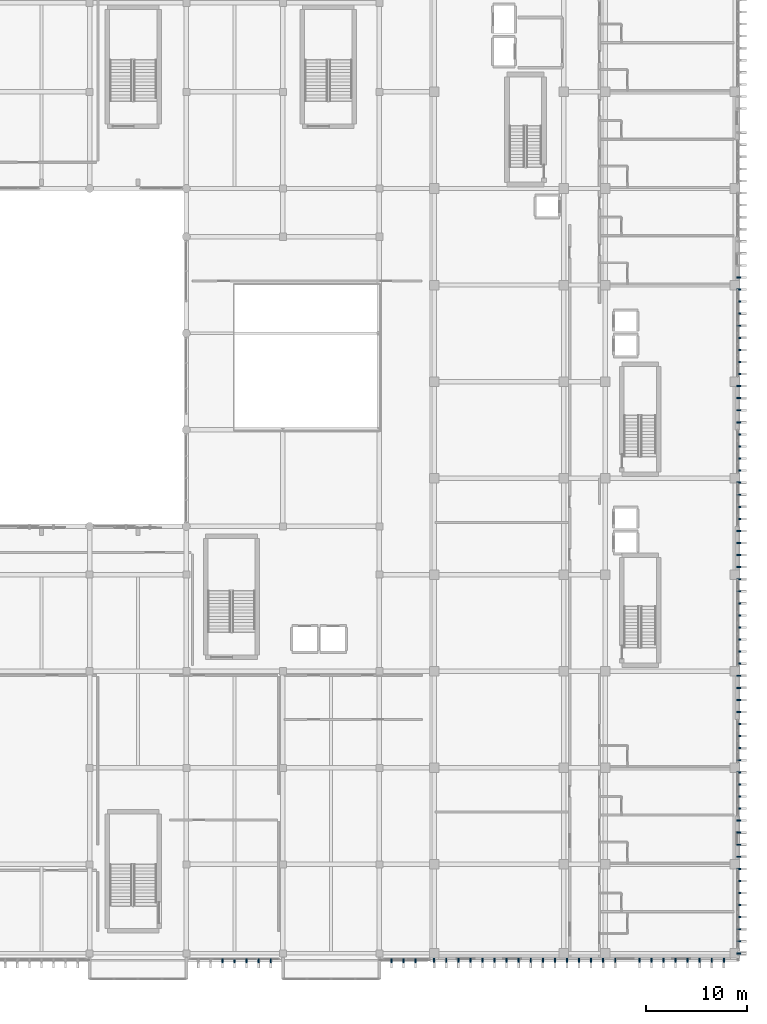
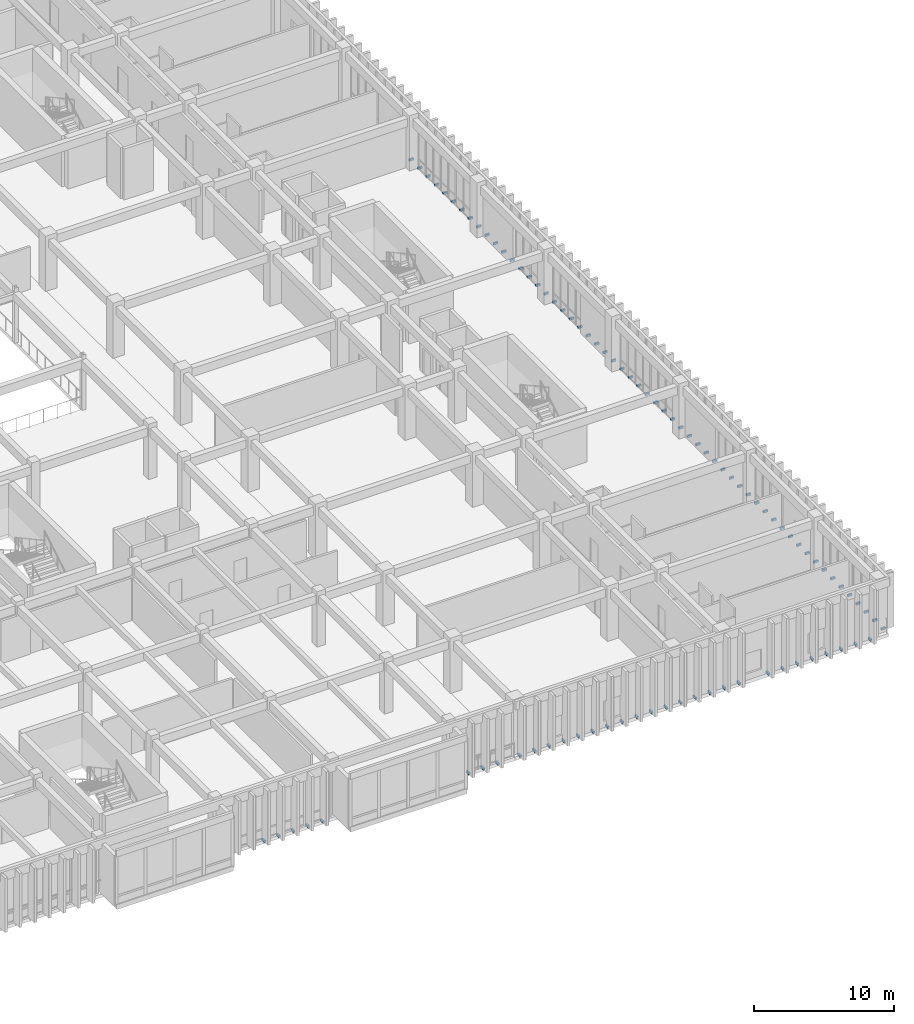
# One storey, part 113 of 133: 89 discrete accessories.
"""IFC4 building model written with IfcOpenShell, lengths in metres."""

from ifc_helpers import new_model, si_unit, direction, frame, origin, origin_2d, place, context, subcontext, project, spatial, rectangle, extrude, material, type_object, element, save


model = new_model("IFC4")

# Units and contexts
model_context = context("Model", 3, precision=1e-05, world=origin(), true_north=direction((0.0, 1.0)))
body_context = subcontext(model_context, "Body", "Model", "MODEL_VIEW")
ifc_project = project(units=[si_unit("LENGTHUNIT", "METRE"), si_unit("AREAUNIT", "SQUARE_METRE"), si_unit("VOLUMEUNIT", "CUBIC_METRE"), si_unit("PLANEANGLEUNIT", "RADIAN"), si_unit("MASSUNIT", "GRAM", prefix="KILO")], contexts=[model_context])

# Site, building, storey
site_placement = place(None, origin())
site = spatial("IfcSite", under=ifc_project, at=site_placement, CompositionType="ELEMENT")
building_placement = place(site_placement, origin())
building = spatial("IfcBuilding", under=site, at=building_placement, Name="Nakhvara Creek Congress Hotel", CompositionType="ELEMENT")
storey_placement = place(building_placement, frame((0.0, 0.0, 11.39990234375)))
storey = spatial("IfcBuildingStorey", under=building, at=storey_placement, Name="L02", CompositionType="ELEMENT", Elevation=11.39990234375)

# Discrete accessories
ifc_material = material(Name="Brushed stainless steel 316L", Category="steel")
discrete_accessory_type = type_object("IfcDiscreteAccessoryType", Name="ACC-BRK-SS316", PredefinedType="BRACKET", material=ifc_material)
for number, where, z_axis, x_axis, name in (
    (1, (128.39990234375, 0.02001953125, -0.10986328125), (0.0, 0.0, 1.0), (1.0, 0.0, 0.0), "Stainless Fin Bracket BK01-0256"),
    (2, (129.60009765625, 0.02001953125, -0.10986328125), (0.0, 0.0, 1.0), (1.0, 0.0, 0.0), "Stainless Fin Bracket BK01-0257"),
    (3, (130.800048828125, 0.02001953125, -0.10986328125), (0.0, 0.0, 1.0), (1.0, 0.0, 0.0), "Stainless Fin Bracket BK01-0258"),
    (4, (132.0, 0.02001953125, -0.10986328125), (0.0, 0.0, 1.0), (1.0, 0.0, 0.0), "Stainless Fin Bracket BK01-0259"),
    (5, (133.199951171875, 0.02001953125, -0.10986328125), (0.0, 0.0, 1.0), (1.0, 0.0, 0.0), "Stainless Fin Bracket BK01-0260"),
    (6, (145.199951171875, 0.02001953125, -0.10986328125), (0.0, 0.0, 1.0), (1.0, 0.0, 0.0), "Stainless Fin Bracket BK01-0261"),
    (7, (146.39990234375, 0.02001953125, -0.10986328125), (0.0, 0.0, 1.0), (1.0, 0.0, 0.0), "Stainless Fin Bracket BK01-0262"),
    (8, (147.60009765625, 0.02001953125, -0.10986328125), (0.0, 0.0, 1.0), (1.0, 0.0, 0.0), "Stainless Fin Bracket BK01-0263"),
    (9, (179.72998046875, 0.75, -0.10986328125), (0.0, 0.0, 1.0), (0.0, 1.0, 0.0), "Stainless Fin Bracket BK01-0718"),
    (10, (179.72998046875, 1.949951171875, -0.10986328125), (0.0, 0.0, 1.0), (0.0, 1.0, 0.0), "Stainless Fin Bracket BK01-0719"),
    (11, (179.72998046875, 3.14990234375, -0.10986328125), (0.0, 0.0, 1.0), (0.0, 1.0, 0.0), "Stainless Fin Bracket BK01-0720"),
    (12, (179.72998046875, 4.35009765625, -0.10986328125), (0.0, 0.0, 1.0), (0.0, 1.0, 0.0), "Stainless Fin Bracket BK01-0721"),
    (13, (179.72998046875, 5.550048828125, -0.10986328125), (0.0, 0.0, 1.0), (0.0, 1.0, 0.0), "Stainless Fin Bracket BK01-0722"),
    (14, (179.72998046875, 6.75, -0.10986328125), (0.0, 0.0, 1.0), (0.0, 1.0, 0.0), "Stainless Fin Bracket BK01-0723"),
    (15, (179.72998046875, 7.949951171875, -0.10986328125), (0.0, 0.0, 1.0), (0.0, 1.0, 0.0), "Stainless Fin Bracket BK01-0724"),
    (16, (179.72998046875, 9.14990234375, -0.10986328125), (0.0, 0.0, 1.0), (0.0, 1.0, 0.0), "Stainless Fin Bracket BK01-0725"),
    (17, (179.72998046875, 10.35009765625, -0.10986328125), (0.0, 0.0, 1.0), (0.0, 1.0, 0.0), "Stainless Fin Bracket BK01-0726"),
    (18, (179.72998046875, 11.550048828125, -0.10986328125), (0.0, 0.0, 1.0), (0.0, 1.0, 0.0), "Stainless Fin Bracket BK01-0727"),
    (19, (179.72998046875, 12.75, -0.10986328125), (0.0, 0.0, 1.0), (0.0, 1.0, 0.0), "Stainless Fin Bracket BK01-0728"),
    (20, (179.72998046875, 13.949951171875, -0.10986328125), (0.0, 0.0, 1.0), (0.0, 1.0, 0.0), "Stainless Fin Bracket BK01-0729"),
    (21, (179.72998046875, 15.14990234375, -0.10986328125), (0.0, 0.0, 1.0), (0.0, 1.0, 0.0), "Stainless Fin Bracket BK01-0730"),
    (22, (179.72998046875, 16.35009765625, -0.10986328125), (0.0, 0.0, 1.0), (0.0, 1.0, 0.0), "Stainless Fin Bracket BK01-0731"),
    (23, (179.72998046875, 17.550048828125, -0.10986328125), (0.0, 0.0, 1.0), (0.0, 1.0, 0.0), "Stainless Fin Bracket BK01-0732"),
    (24, (179.72998046875, 18.75, -0.10986328125), (0.0, 0.0, 1.0), (0.0, 1.0, 0.0), "Stainless Fin Bracket BK01-0733"),
    (25, (179.72998046875, 19.949951171875, -0.10986328125), (0.0, 0.0, 1.0), (0.0, 1.0, 0.0), "Stainless Fin Bracket BK01-0734"),
    (26, (179.72998046875, 21.14990234375, -0.10986328125), (0.0, 0.0, 1.0), (0.0, 1.0, 0.0), "Stainless Fin Bracket BK01-0735"),
    (27, (179.72998046875, 22.35009765625, -0.10986328125), (0.0, 0.0, 1.0), (0.0, 1.0, 0.0), "Stainless Fin Bracket BK01-0736"),
    (28, (179.72998046875, 23.550048828125, -0.10986328125), (0.0, 0.0, 1.0), (0.0, 1.0, 0.0), "Stainless Fin Bracket BK01-0737"),
    (29, (179.72998046875, 24.75, -0.10986328125), (0.0, 0.0, 1.0), (0.0, 1.0, 0.0), "Stainless Fin Bracket BK01-0738"),
    (30, (179.72998046875, 25.949951171875, -0.10986328125), (0.0, 0.0, 1.0), (0.0, 1.0, 0.0), "Stainless Fin Bracket BK01-0739"),
    (31, (179.72998046875, 27.14990234375, -0.10986328125), (0.0, 0.0, 1.0), (0.0, 1.0, 0.0), "Stainless Fin Bracket BK01-0740"),
    (32, (179.72998046875, 28.35009765625, -0.10986328125), (0.0, 0.0, 1.0), (0.0, 1.0, 0.0), "Stainless Fin Bracket BK01-0741"),
    (33, (179.72998046875, 29.550048828125, -0.10986328125), (0.0, 0.0, 1.0), (0.0, 1.0, 0.0), "Stainless Fin Bracket BK01-0742"),
    (34, (179.72998046875, 30.75, -0.10986328125), (0.0, 0.0, 1.0), (0.0, 1.0, 0.0), "Stainless Fin Bracket BK01-0743"),
    (35, (179.72998046875, 31.949951171875, -0.10986328125), (0.0, 0.0, 1.0), (0.0, 1.0, 0.0), "Stainless Fin Bracket BK01-0744"),
    (36, (179.72998046875, 33.14990234375, -0.10986328125), (0.0, 0.0, 1.0), (0.0, 1.0, 0.0), "Stainless Fin Bracket BK01-0745"),
    (37, (179.72998046875, 34.35009765625, -0.10986328125), (0.0, 0.0, 1.0), (0.0, 1.0, 0.0), "Stainless Fin Bracket BK01-0746"),
    (38, (179.72998046875, 35.550048828125, -0.10986328125), (0.0, 0.0, 1.0), (0.0, 1.0, 0.0), "Stainless Fin Bracket BK01-0747"),
    (39, (179.72998046875, 36.75, -0.10986328125), (0.0, 0.0, 1.0), (0.0, 1.0, 0.0), "Stainless Fin Bracket BK01-0748"),
    (40, (179.72998046875, 37.949951171875, -0.10986328125), (0.0, 0.0, 1.0), (0.0, 1.0, 0.0), "Stainless Fin Bracket BK01-0749"),
    (41, (179.72998046875, 39.14990234375, -0.10986328125), (0.0, 0.0, 1.0), (0.0, 1.0, 0.0), "Stainless Fin Bracket BK01-0750"),
    (42, (179.72998046875, 40.35009765625, -0.10986328125), (0.0, 0.0, 1.0), (0.0, 1.0, 0.0), "Stainless Fin Bracket BK01-0751"),
    (43, (179.72998046875, 41.550048828125, -0.10986328125), (0.0, 0.0, 1.0), (0.0, 1.0, 0.0), "Stainless Fin Bracket BK01-0752"),
    (44, (179.72998046875, 42.75, -0.10986328125), (0.0, 0.0, 1.0), (0.0, 1.0, 0.0), "Stainless Fin Bracket BK01-0753"),
    (45, (179.72998046875, 43.949951171875, -0.10986328125), (0.0, 0.0, 1.0), (0.0, 1.0, 0.0), "Stainless Fin Bracket BK01-0754"),
    (46, (179.72998046875, 45.14990234375, -0.10986328125), (0.0, 0.0, 1.0), (0.0, 1.0, 0.0), "Stainless Fin Bracket BK01-0755"),
    (47, (179.72998046875, 46.35009765625, -0.10986328125), (0.0, 0.0, 1.0), (0.0, 1.0, 0.0), "Stainless Fin Bracket BK01-0756"),
    (48, (179.72998046875, 47.550048828125, -0.10986328125), (0.0, 0.0, 1.0), (0.0, 1.0, 0.0), "Stainless Fin Bracket BK01-0757"),
    (49, (179.72998046875, 48.75, -0.10986328125), (0.0, 0.0, 1.0), (0.0, 1.0, 0.0), "Stainless Fin Bracket BK01-0758"),
    (50, (179.72998046875, 49.949951171875, -0.10986328125), (0.0, 0.0, 1.0), (0.0, 1.0, 0.0), "Stainless Fin Bracket BK01-0759"),
    (51, (179.72998046875, 51.14990234375, -0.10986328125), (0.0, 0.0, 1.0), (0.0, 1.0, 0.0), "Stainless Fin Bracket BK01-0760"),
    (52, (179.72998046875, 52.35009765625, -0.10986328125), (0.0, 0.0, 1.0), (0.0, 1.0, 0.0), "Stainless Fin Bracket BK01-0761"),
    (53, (179.72998046875, 53.550048828125, -0.10986328125), (0.0, 0.0, 1.0), (0.0, 1.0, 0.0), "Stainless Fin Bracket BK01-0762"),
    (54, (179.72998046875, 54.75, -0.10986328125), (0.0, 0.0, 1.0), (0.0, 1.0, 0.0), "Stainless Fin Bracket BK01-0763"),
    (55, (179.72998046875, 55.949951171875, -0.10986328125), (0.0, 0.0, 1.0), (0.0, 1.0, 0.0), "Stainless Fin Bracket BK01-0764"),
    (56, (179.72998046875, 57.14990234375, -0.10986328125), (0.0, 0.0, 1.0), (0.0, 1.0, 0.0), "Stainless Fin Bracket BK01-0765"),
    (57, (179.72998046875, 58.35009765625, -0.10986328125), (0.0, 0.0, 1.0), (0.0, 1.0, 0.0), "Stainless Fin Bracket BK01-0766"),
    (58, (179.72998046875, 59.550048828125, -0.10986328125), (0.0, 0.0, 1.0), (0.0, 1.0, 0.0), "Stainless Fin Bracket BK01-0767"),
    (59, (179.72998046875, 60.75, -0.10986328125), (0.0, 0.0, 1.0), (0.0, 1.0, 0.0), "Stainless Fin Bracket BK01-0768"),
    (60, (179.72998046875, 61.949951171875, -0.10986328125), (0.0, 0.0, 1.0), (0.0, 1.0, 0.0), "Stainless Fin Bracket BK01-0769"),
    (61, (179.72998046875, 63.14990234375, -0.10986328125), (0.0, 0.0, 1.0), (0.0, 1.0, 0.0), "Stainless Fin Bracket BK01-0770"),
    (62, (179.72998046875, 64.35009765625, -0.10986328125), (0.0, 0.0, 1.0), (0.0, 1.0, 0.0), "Stainless Fin Bracket BK01-0771"),
    (63, (179.72998046875, 65.550048828125, -0.10986328125), (0.0, 0.0, 1.0), (0.0, 1.0, 0.0), "Stainless Fin Bracket BK01-0772"),
    (64, (179.72998046875, 66.75, -0.10986328125), (0.0, 0.0, 1.0), (0.0, 1.0, 0.0), "Stainless Fin Bracket BK01-0773"),
    (65, (179.72998046875, 67.949951171875, -0.10986328125), (0.0, 0.0, 1.0), (0.0, 1.0, 0.0), "Stainless Fin Bracket BK01-0774"),
    (66, (149.449951171875, 0.06005859375, -0.10986328125), (0.0, 0.0, 1.0), (1.0, 0.0, 0.0), "Stainless Fin Bracket BK01-0847"),
    (67, (150.64990234375, 0.06005859375, -0.10986328125), (0.0, 0.0, 1.0), (1.0, 0.0, 0.0), "Stainless Fin Bracket BK01-0849"),
    (68, (151.85009765625, 0.06005859375, -0.10986328125), (0.0, 0.0, 1.0), (1.0, 0.0, 0.0), "Stainless Fin Bracket BK01-0851"),
    (69, (153.050048828125, 0.06005859375, -0.10986328125), (0.0, 0.0, 1.0), (1.0, 0.0, 0.0), "Stainless Fin Bracket BK01-0853"),
    (70, (154.25, 0.06005859375, -0.10986328125), (0.0, 0.0, 1.0), (1.0, 0.0, 0.0), "Stainless Fin Bracket BK01-0854"),
    (71, (155.449951171875, 0.06005859375, -0.10986328125), (0.0, 0.0, 1.0), (1.0, 0.0, 0.0), "Stainless Fin Bracket BK01-0856"),
    (72, (156.64990234375, 0.06005859375, -0.10986328125), (0.0, 0.0, 1.0), (1.0, 0.0, 0.0), "Stainless Fin Bracket BK01-0858"),
    (73, (157.85009765625, 0.06005859375, -0.10986328125), (0.0, 0.0, 1.0), (1.0, 0.0, 0.0), "Stainless Fin Bracket BK01-0860"),
    (74, (159.050048828125, 0.06005859375, -0.10986328125), (0.0, 0.0, 1.0), (1.0, 0.0, 0.0), "Stainless Fin Bracket BK01-0862"),
    (75, (160.25, 0.06005859375, -0.10986328125), (0.0, 0.0, 1.0), (1.0, 0.0, 0.0), "Stainless Fin Bracket BK01-0863"),
    (76, (161.449951171875, 0.06005859375, -0.10986328125), (0.0, 0.0, 1.0), (1.0, 0.0, 0.0), "Stainless Fin Bracket BK01-0865"),
    (77, (162.64990234375, 0.06005859375, -0.10986328125), (0.0, 0.0, 1.0), (1.0, 0.0, 0.0), "Stainless Fin Bracket BK01-0867"),
    (78, (163.85009765625, 0.06005859375, -0.10986328125), (0.0, 0.0, 1.0), (1.0, 0.0, 0.0), "Stainless Fin Bracket BK01-0869"),
    (79, (165.050048828125, 0.06005859375, -0.10986328125), (0.0, 0.0, 1.0), (1.0, 0.0, 0.0), "Stainless Fin Bracket BK01-0871"),
    (80, (166.25, 0.06005859375, -0.10986328125), (0.0, 0.0, 1.0), (1.0, 0.0, 0.0), "Stainless Fin Bracket BK01-0873"),
    (81, (167.449951171875, 0.06005859375, -0.10986328125), (0.0, 0.0, 1.0), (1.0, 0.0, 0.0), "Stainless Fin Bracket BK01-0875"),
    (82, (169.85009765625, 0.06005859375, -0.10986328125), (0.0, 0.0, 1.0), (1.0, 0.0, 0.0), "Stainless Fin Bracket BK01-0878"),
    (83, (171.050048828125, 0.06005859375, -0.10986328125), (0.0, 0.0, 1.0), (1.0, 0.0, 0.0), "Stainless Fin Bracket BK01-0880"),
    (84, (172.25, 0.06005859375, -0.10986328125), (0.0, 0.0, 1.0), (1.0, 0.0, 0.0), "Stainless Fin Bracket BK01-0882"),
    (85, (173.449951171875, 0.06005859375, -0.10986328125), (0.0, 0.0, 1.0), (1.0, 0.0, 0.0), "Stainless Fin Bracket BK01-0884"),
    (86, (174.64990234375, 0.06005859375, -0.10986328125), (0.0, 0.0, 1.0), (1.0, 0.0, 0.0), "Stainless Fin Bracket BK01-0886"),
    (87, (175.85009765625, 0.06005859375, -0.10986328125), (0.0, 0.0, 1.0), (1.0, 0.0, 0.0), "Stainless Fin Bracket BK01-0887"),
    (88, (177.050048828125, 0.06005859375, -0.10986328125), (0.0, 0.0, 1.0), (1.0, 0.0, 0.0), "Stainless Fin Bracket BK01-0889"),
    (89, (178.25, 0.06005859375, -0.10986328125), (0.0, 0.0, 1.0), (1.0, 0.0, 0.0), "Stainless Fin Bracket BK01-0891"),
):
    element("IfcDiscreteAccessory", number, at=place(storey_placement, frame(where, z_axis=z_axis, x_axis=x_axis)), inside=storey, type_object=discrete_accessory_type, Name=name, PredefinedType="BRACKET", context=body_context, shape_type="SweptSolid", body=[
        extrude(rectangle(XDim=0.139892578125, YDim=0.360107421875, at=origin_2d()), origin(), (0.0, 0.0, 1.0), 0.179931640625),
    ])

save(model, "model.ifc")
